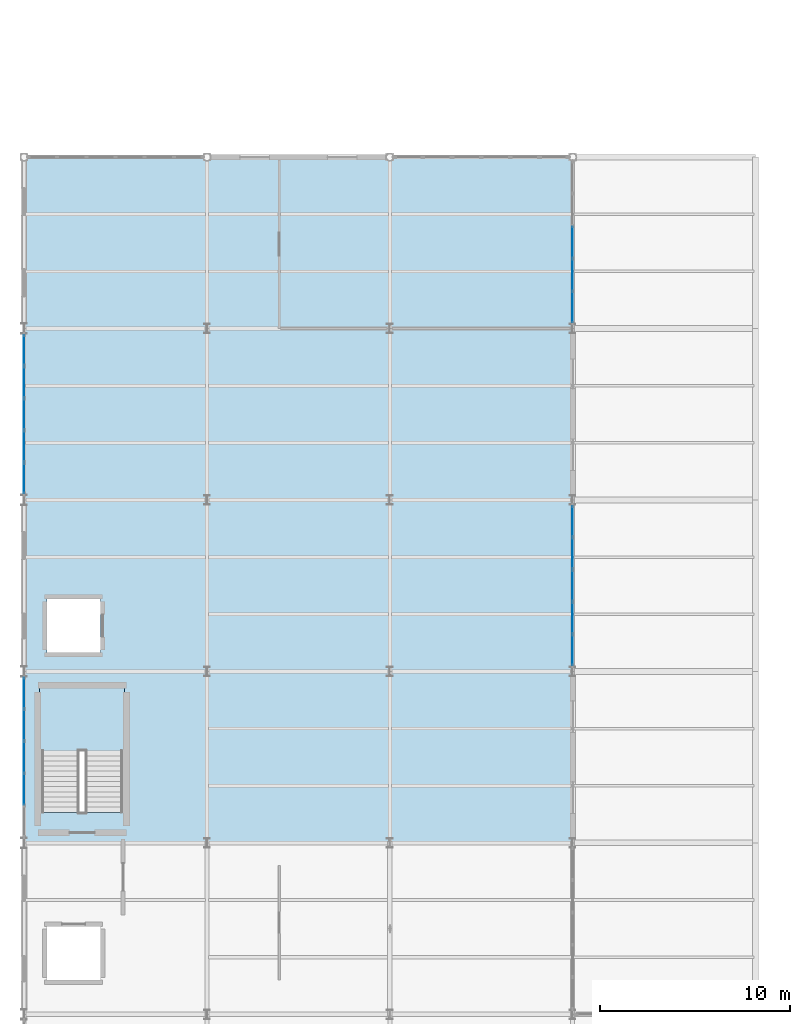
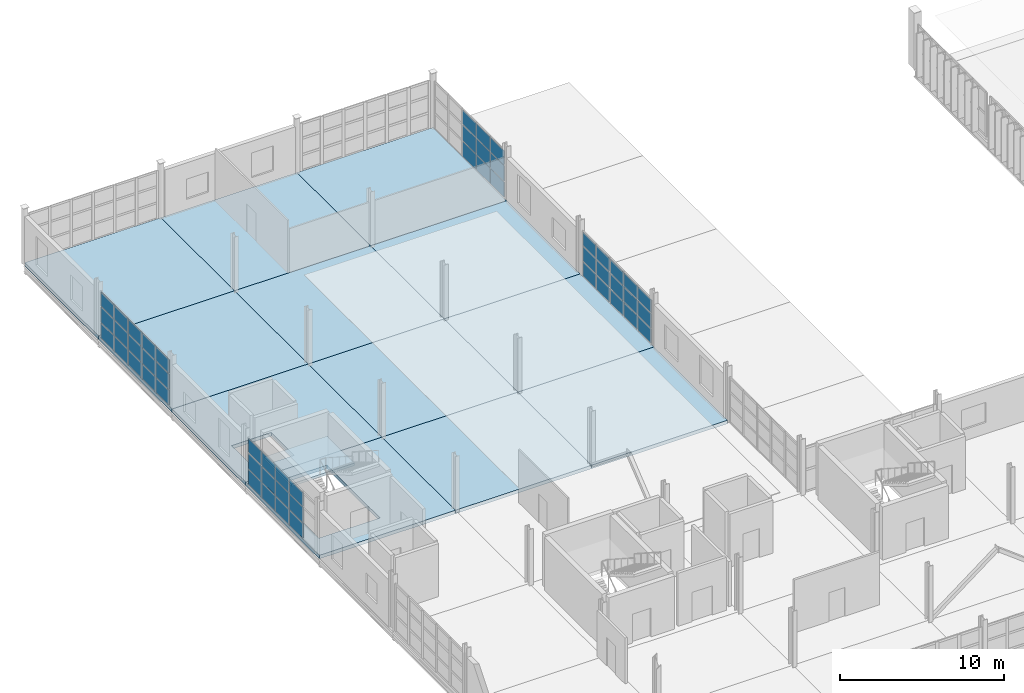
# One storey, part 51 of 82: 51 plates, 13 slabs, 5 elements without a shape of their own.
"""IFC4 building model written with IfcOpenShell, lengths in metres."""

from ifc_helpers import new_model, si_unit, direction, frame, origin, origin_2d, place, context, subcontext, project, spatial, polyline, rectangle, outline, extrude, material, layer, layer_set, type_object, element, aggregate, save


model = new_model("IFC4")

# Units and contexts
model_context = context("Model", 3, precision=1e-05, world=origin(), true_north=direction((0.0, 1.0)))
body_context = subcontext(model_context, "Body", "Model", "MODEL_VIEW")
ifc_project = project(units=[si_unit("LENGTHUNIT", "METRE"), si_unit("AREAUNIT", "SQUARE_METRE"), si_unit("VOLUMEUNIT", "CUBIC_METRE"), si_unit("PLANEANGLEUNIT", "RADIAN"), si_unit("MASSUNIT", "GRAM", prefix="KILO")], contexts=[model_context])

# Site, building, storey
site_placement = place(None, origin())
site = spatial("IfcSite", under=ifc_project, at=site_placement, CompositionType="ELEMENT")
building_placement = place(site_placement, origin())
building = spatial("IfcBuilding", under=site, at=building_placement, Name="Zarnetskaya Central Station", CompositionType="ELEMENT")
storey_placement = place(building_placement, frame((0.0, 0.0, 10.199951171875)))
storey = spatial("IfcBuildingStorey", under=building, at=storey_placement, Name="L02", CompositionType="ELEMENT", Elevation=10.199951171875)

# Curtain wall, plates
ifc_material_1 = material(Name="Low-E insulated glass", Category="glass")
ifc_layer_1 = layer(ifc_material_1, 0.172119140625, Name="Low-E insulated glass", Category="glass")
ifc_layer_set_1 = layer_set([ifc_layer_1], Name="Low-E insulated glass")
curtain_wall_type_1 = type_object("IfcCurtainWallType", Name="CW-SYS-04", PredefinedType="USERDEFINED", material=ifc_layer_set_1)
curtain_wall_1_placement = place(storey_placement, origin())
curtain_wall_1 = element("IfcCurtainWall", 1, at=curtain_wall_1_placement, inside=storey, type_object=curtain_wall_type_1, Name="Curtain wall CW-L02-021", ObjectType="CURTAIN WALL", PredefinedType="USERDEFINED")
ifc_layer_2 = layer(ifc_material_1, 0.031982421875, Name="Low-E insulated glass", Category="glass")
ifc_layer_set_2 = layer_set([ifc_layer_2], Name="Low-E insulated glass")
plate_type_1 = type_object("IfcPlateType", Name="CW-PAN-32", PredefinedType="CURTAIN_PANEL", material=ifc_layer_set_2)
plate_1_placement = place(storey_placement, frame((28.800048828125, 62.723388671875, 0.0703125), z_axis=(0.0, 0.0, 1.0), x_axis=(0.0, -1.0, 0.0)))
plate_1 = element("IfcPlate", 2, at=plate_1_placement, type_object=plate_type_1, Name="CW-15 panel 3.1", PredefinedType="CURTAIN_PANEL", context=body_context, shape_type="SweptSolid", body=[
    extrude(rectangle(XDim=1.639404296875, YDim=0.031982421875, at=origin_2d()), origin(), (0.0, 0.0, 1.0), 1.118896484375),
])
plate_2_placement = place(storey_placement, frame((28.800048828125, 62.723388671875, 1.2587890625), z_axis=(0.0, 0.0, 1.0), x_axis=(0.0, -1.0, 0.0)))
plate_2 = element("IfcPlate", 3, at=plate_2_placement, type_object=plate_type_1, Name="CW-15 panel 3.2", PredefinedType="CURTAIN_PANEL", context=body_context, shape_type="SweptSolid", body=[
    extrude(rectangle(XDim=1.639404296875, YDim=0.031982421875, at=origin_2d()), origin(), (0.0, 0.0, 1.0), 1.154052734375),
])
plate_3_placement = place(storey_placement, frame((28.800048828125, 62.723388671875, 2.48291015625), z_axis=(0.0, 0.0, 1.0), x_axis=(0.0, -1.0, 0.0)))
plate_3 = element("IfcPlate", 4, at=plate_3_placement, type_object=plate_type_1, Name="CW-15 panel 3.3", PredefinedType="CURTAIN_PANEL", context=body_context, shape_type="SweptSolid", body=[
    extrude(rectangle(XDim=1.639404296875, YDim=0.031982421875, at=origin_2d()), origin(), (0.0, 0.0, 1.0), 1.047119140625),
])
plate_4_placement = place(storey_placement, frame((28.800048828125, 61.01416015625, 0.0703125), z_axis=(0.0, 0.0, 1.0), x_axis=(0.0, -1.0, 0.0)))
plate_4 = element("IfcPlate", 5, at=plate_4_placement, type_object=plate_type_1, Name="CW-15 panel 4.1", PredefinedType="CURTAIN_PANEL", context=body_context, shape_type="SweptSolid", body=[
    extrude(rectangle(XDim=1.639404296875, YDim=0.031982421875, at=origin_2d()), origin(), (0.0, 0.0, 1.0), 1.118896484375),
])
plate_5_placement = place(storey_placement, frame((28.800048828125, 61.01416015625, 1.2587890625), z_axis=(0.0, 0.0, 1.0), x_axis=(0.0, -1.0, 0.0)))
plate_5 = element("IfcPlate", 6, at=plate_5_placement, type_object=plate_type_1, Name="CW-15 panel 4.2", PredefinedType="CURTAIN_PANEL", context=body_context, shape_type="SweptSolid", body=[
    extrude(rectangle(XDim=1.639404296875, YDim=0.031982421875, at=origin_2d()), origin(), (0.0, 0.0, 1.0), 1.154052734375),
])
plate_6_placement = place(storey_placement, frame((28.800048828125, 61.01416015625, 2.48291015625), z_axis=(0.0, 0.0, 1.0), x_axis=(0.0, -1.0, 0.0)))
plate_6 = element("IfcPlate", 7, at=plate_6_placement, type_object=plate_type_1, Name="CW-15 panel 4.3", PredefinedType="CURTAIN_PANEL", context=body_context, shape_type="SweptSolid", body=[
    extrude(rectangle(XDim=1.639404296875, YDim=0.031982421875, at=origin_2d()), origin(), (0.0, 0.0, 1.0), 1.047119140625),
])
plate_7_placement = place(storey_placement, frame((28.800048828125, 59.322265625, 0.0703125), z_axis=(0.0, 0.0, 1.0), x_axis=(0.0, -1.0, 0.0)))
plate_7 = element("IfcPlate", 8, at=plate_7_placement, type_object=plate_type_1, Name="CW-15 panel 5.1", PredefinedType="CURTAIN_PANEL", context=body_context, shape_type="SweptSolid", body=[
    extrude(rectangle(XDim=1.604248046875, YDim=0.031982421875, at=origin_2d()), origin(), (0.0, 0.0, 1.0), 1.118896484375),
])
plate_8_placement = place(storey_placement, frame((28.800048828125, 59.322265625, 1.2587890625), z_axis=(0.0, 0.0, 1.0), x_axis=(0.0, -1.0, 0.0)))
plate_8 = element("IfcPlate", 9, at=plate_8_placement, type_object=plate_type_1, Name="CW-15 panel 5.2", PredefinedType="CURTAIN_PANEL", context=body_context, shape_type="SweptSolid", body=[
    extrude(rectangle(XDim=1.604248046875, YDim=0.031982421875, at=origin_2d()), origin(), (0.0, 0.0, 1.0), 1.154052734375),
])
plate_9_placement = place(storey_placement, frame((28.800048828125, 59.322265625, 2.48291015625), z_axis=(0.0, 0.0, 1.0), x_axis=(0.0, -1.0, 0.0)))
plate_9 = element("IfcPlate", 10, at=plate_9_placement, type_object=plate_type_1, Name="CW-15 panel 5.3", PredefinedType="CURTAIN_PANEL", context=body_context, shape_type="SweptSolid", body=[
    extrude(rectangle(XDim=1.604248046875, YDim=0.031982421875, at=origin_2d()), origin(), (0.0, 0.0, 1.0), 1.047119140625),
])
aggregate(curtain_wall_1, [plate_1, plate_2, plate_3, plate_4, plate_5, plate_6, plate_7, plate_8, plate_9])

ifc_layer_3 = layer(ifc_material_1, 0.16796875, Name="Low-E insulated glass", Category="glass")
ifc_layer_set_3 = layer_set([ifc_layer_3], Name="Low-E insulated glass")
curtain_wall_type_2 = type_object("IfcCurtainWallType", Name="CW-SYS-08", PredefinedType="USERDEFINED", material=ifc_layer_set_3)
curtain_wall_2_placement = place(storey_placement, origin())
curtain_wall_2 = element("IfcCurtainWall", 11, at=curtain_wall_2_placement, inside=storey, type_object=curtain_wall_type_2, Name="Curtain wall CW-L02-017", ObjectType="CURTAIN WALL", PredefinedType="USERDEFINED")
ifc_layer_4 = layer(ifc_material_1, 0.035888671875, Name="Low-E insulated glass", Category="glass")
ifc_layer_set_4 = layer_set([ifc_layer_4], Name="Low-E insulated glass")
plate_type_2 = type_object("IfcPlateType", Name="CW-PAN-36", PredefinedType="CURTAIN_PANEL", material=ifc_layer_set_4)
plate_10_placement = place(storey_placement, frame((0.0, 34.010009765625, 0.070068359375), z_axis=(0.0, 0.0, 1.0), x_axis=(0.0, 1.0, 0.0)))
plate_10 = element("IfcPlate", 12, at=plate_10_placement, type_object=plate_type_2, Name="CW-16 panel 2.1", PredefinedType="CURTAIN_PANEL", context=body_context, shape_type="SweptSolid", body=[
    extrude(rectangle(XDim=1.6201171875, YDim=0.035888671875, at=origin_2d()), origin(), (0.0, 0.0, 1.0), 1.10205078125),
])
plate_11_placement = place(storey_placement, frame((0.0, 34.010009765625, 1.2421875), z_axis=(0.0, 0.0, 1.0), x_axis=(0.0, 1.0, 0.0)))
plate_11 = element("IfcPlate", 13, at=plate_11_placement, type_object=plate_type_2, Name="CW-16 panel 2.2", PredefinedType="CURTAIN_PANEL", context=body_context, shape_type="SweptSolid", body=[
    extrude(rectangle(XDim=1.6201171875, YDim=0.035888671875, at=origin_2d()), origin(), (0.0, 0.0, 1.0), 1.136962890625),
])
plate_12_placement = place(storey_placement, frame((0.0, 34.010009765625, 2.44921875), z_axis=(0.0, 0.0, 1.0), x_axis=(0.0, 1.0, 0.0)))
plate_12 = element("IfcPlate", 14, at=plate_12_placement, type_object=plate_type_2, Name="CW-16 panel 2.3", PredefinedType="CURTAIN_PANEL", context=body_context, shape_type="SweptSolid", body=[
    extrude(rectangle(XDim=1.6201171875, YDim=0.035888671875, at=origin_2d()), origin(), (0.0, 0.0, 1.0), 1.031005859375),
])
plate_13_placement = place(storey_placement, frame((0.0, 35.699951171875, 0.070068359375), z_axis=(0.0, 0.0, 1.0), x_axis=(0.0, 1.0, 0.0)))
plate_13 = element("IfcPlate", 15, at=plate_13_placement, type_object=plate_type_2, Name="CW-16 panel 3.1", PredefinedType="CURTAIN_PANEL", context=body_context, shape_type="SweptSolid", body=[
    extrude(rectangle(XDim=1.6201171875, YDim=0.035888671875, at=origin_2d()), origin(), (0.0, 0.0, 1.0), 1.10205078125),
])
plate_14_placement = place(storey_placement, frame((0.0, 35.699951171875, 1.2421875), z_axis=(0.0, 0.0, 1.0), x_axis=(0.0, 1.0, 0.0)))
plate_14 = element("IfcPlate", 16, at=plate_14_placement, type_object=plate_type_2, Name="CW-16 panel 3.2", PredefinedType="CURTAIN_PANEL", context=body_context, shape_type="SweptSolid", body=[
    extrude(rectangle(XDim=1.6201171875, YDim=0.035888671875, at=origin_2d()), origin(), (0.0, 0.0, 1.0), 1.136962890625),
])
plate_15_placement = place(storey_placement, frame((0.0, 35.699951171875, 2.44921875), z_axis=(0.0, 0.0, 1.0), x_axis=(0.0, 1.0, 0.0)))
plate_15 = element("IfcPlate", 17, at=plate_15_placement, type_object=plate_type_2, Name="CW-16 panel 3.3", PredefinedType="CURTAIN_PANEL", context=body_context, shape_type="SweptSolid", body=[
    extrude(rectangle(XDim=1.6201171875, YDim=0.035888671875, at=origin_2d()), origin(), (0.0, 0.0, 1.0), 1.031005859375),
])
plate_16_placement = place(storey_placement, frame((0.0, 37.389892578125, 0.070068359375), z_axis=(0.0, 0.0, 1.0), x_axis=(0.0, 1.0, 0.0)))
plate_16 = element("IfcPlate", 18, at=plate_16_placement, type_object=plate_type_2, Name="CW-16 panel 4.1", PredefinedType="CURTAIN_PANEL", context=body_context, shape_type="SweptSolid", body=[
    extrude(rectangle(XDim=1.6201171875, YDim=0.035888671875, at=origin_2d()), origin(), (0.0, 0.0, 1.0), 1.10205078125),
])
plate_17_placement = place(storey_placement, frame((0.0, 37.389892578125, 1.2421875), z_axis=(0.0, 0.0, 1.0), x_axis=(0.0, 1.0, 0.0)))
plate_17 = element("IfcPlate", 19, at=plate_17_placement, type_object=plate_type_2, Name="CW-16 panel 4.2", PredefinedType="CURTAIN_PANEL", context=body_context, shape_type="SweptSolid", body=[
    extrude(rectangle(XDim=1.6201171875, YDim=0.035888671875, at=origin_2d()), origin(), (0.0, 0.0, 1.0), 1.136962890625),
])
plate_18_placement = place(storey_placement, frame((0.0, 37.389892578125, 2.44921875), z_axis=(0.0, 0.0, 1.0), x_axis=(0.0, 1.0, 0.0)))
plate_18 = element("IfcPlate", 20, at=plate_18_placement, type_object=plate_type_2, Name="CW-16 panel 4.3", PredefinedType="CURTAIN_PANEL", context=body_context, shape_type="SweptSolid", body=[
    extrude(rectangle(XDim=1.6201171875, YDim=0.035888671875, at=origin_2d()), origin(), (0.0, 0.0, 1.0), 1.031005859375),
])
plate_19_placement = place(storey_placement, frame((0.0, 39.0625, 0.070068359375), z_axis=(0.0, 0.0, 1.0), x_axis=(0.0, 1.0, 0.0)))
plate_19 = element("IfcPlate", 21, at=plate_19_placement, type_object=plate_type_2, Name="CW-16 panel 5.1", PredefinedType="CURTAIN_PANEL", context=body_context, shape_type="SweptSolid", body=[
    extrude(rectangle(XDim=1.5849609375, YDim=0.035888671875, at=origin_2d()), origin(), (0.0, 0.0, 1.0), 1.10205078125),
])
plate_20_placement = place(storey_placement, frame((0.0, 39.0625, 1.2421875), z_axis=(0.0, 0.0, 1.0), x_axis=(0.0, 1.0, 0.0)))
plate_20 = element("IfcPlate", 22, at=plate_20_placement, type_object=plate_type_2, Name="CW-16 panel 5.2", PredefinedType="CURTAIN_PANEL", context=body_context, shape_type="SweptSolid", body=[
    extrude(rectangle(XDim=1.5849609375, YDim=0.035888671875, at=origin_2d()), origin(), (0.0, 0.0, 1.0), 1.136962890625),
])
plate_21_placement = place(storey_placement, frame((0.0, 39.0625, 2.44921875), z_axis=(0.0, 0.0, 1.0), x_axis=(0.0, 1.0, 0.0)))
plate_21 = element("IfcPlate", 23, at=plate_21_placement, type_object=plate_type_2, Name="CW-16 panel 5.3", PredefinedType="CURTAIN_PANEL", context=body_context, shape_type="SweptSolid", body=[
    extrude(rectangle(XDim=1.5849609375, YDim=0.035888671875, at=origin_2d()), origin(), (0.0, 0.0, 1.0), 1.031005859375),
])
aggregate(curtain_wall_2, [plate_10, plate_11, plate_12, plate_13, plate_14, plate_15, plate_16, plate_17, plate_18, plate_19, plate_20, plate_21])

ifc_layer_5 = layer(ifc_material_1, 0.159912109375, Name="Low-E insulated glass", Category="glass")
ifc_layer_set_5 = layer_set([ifc_layer_5], Name="Low-E insulated glass")
curtain_wall_type_3 = type_object("IfcCurtainWallType", Name="CW-SYS-06", PredefinedType="USERDEFINED", material=ifc_layer_set_5)
curtain_wall_3_placement = place(storey_placement, origin())
curtain_wall_3 = element("IfcCurtainWall", 24, at=curtain_wall_3_placement, inside=storey, type_object=curtain_wall_type_3, Name="Curtain wall CW-L02-022", ObjectType="CURTAIN WALL", PredefinedType="USERDEFINED")
plate_22_placement = place(storey_placement, frame((28.800048828125, 48.080078125, 0.080078125), z_axis=(0.0, 0.0, 1.0), x_axis=(0.0, -1.0, 0.0)))
plate_22 = element("IfcPlate", 25, at=plate_22_placement, type_object=plate_type_2, Name="CW-02 panel 1.1", PredefinedType="CURTAIN_PANEL", context=body_context, shape_type="SweptSolid", body=[
    extrude(rectangle(XDim=1.580078125, YDim=0.035888671875, at=origin_2d()), origin(), (0.0, 0.0, 1.0), 1.035888671875),
])
plate_23_placement = place(storey_placement, frame((28.800048828125, 48.080078125, 1.1962890625), z_axis=(0.0, 0.0, 1.0), x_axis=(0.0, -1.0, 0.0)))
plate_23 = element("IfcPlate", 26, at=plate_23_placement, type_object=plate_type_2, Name="CW-02 panel 1.2", PredefinedType="CURTAIN_PANEL", context=body_context, shape_type="SweptSolid", body=[
    extrude(rectangle(XDim=1.580078125, YDim=0.035888671875, at=origin_2d()), origin(), (0.0, 0.0, 1.0), 1.075927734375),
])
plate_24_placement = place(storey_placement, frame((28.800048828125, 48.080078125, 2.35205078125), z_axis=(0.0, 0.0, 1.0), x_axis=(0.0, -1.0, 0.0)))
plate_24 = element("IfcPlate", 27, at=plate_24_placement, type_object=plate_type_2, Name="CW-02 panel 1.3", PredefinedType="CURTAIN_PANEL", context=body_context, shape_type="SweptSolid", body=[
    extrude(rectangle(XDim=1.580078125, YDim=0.035888671875, at=origin_2d()), origin(), (0.0, 0.0, 1.0), 0.968017578125),
])
plate_25_placement = place(storey_placement, frame((28.800048828125, 46.39990234375, 0.080078125), z_axis=(0.0, 0.0, 1.0), x_axis=(0.0, -1.0, 0.0)))
plate_25 = element("IfcPlate", 28, at=plate_25_placement, type_object=plate_type_2, Name="CW-02 panel 2.1", PredefinedType="CURTAIN_PANEL", context=body_context, shape_type="SweptSolid", body=[
    extrude(rectangle(XDim=1.6201171875, YDim=0.035888671875, at=origin_2d()), origin(), (0.0, 0.0, 1.0), 1.035888671875),
])
plate_26_placement = place(storey_placement, frame((28.800048828125, 46.39990234375, 1.1962890625), z_axis=(0.0, 0.0, 1.0), x_axis=(0.0, -1.0, 0.0)))
plate_26 = element("IfcPlate", 29, at=plate_26_placement, type_object=plate_type_2, Name="CW-02 panel 2.2", PredefinedType="CURTAIN_PANEL", context=body_context, shape_type="SweptSolid", body=[
    extrude(rectangle(XDim=1.6201171875, YDim=0.035888671875, at=origin_2d()), origin(), (0.0, 0.0, 1.0), 1.075927734375),
])
plate_27_placement = place(storey_placement, frame((28.800048828125, 46.39990234375, 2.35205078125), z_axis=(0.0, 0.0, 1.0), x_axis=(0.0, -1.0, 0.0)))
plate_27 = element("IfcPlate", 30, at=plate_27_placement, type_object=plate_type_2, Name="CW-02 panel 2.3", PredefinedType="CURTAIN_PANEL", context=body_context, shape_type="SweptSolid", body=[
    extrude(rectangle(XDim=1.6201171875, YDim=0.035888671875, at=origin_2d()), origin(), (0.0, 0.0, 1.0), 0.968017578125),
])
plate_28_placement = place(storey_placement, frame((28.800048828125, 44.699951171875, 0.080078125), z_axis=(0.0, 0.0, 1.0), x_axis=(0.0, -1.0, 0.0)))
plate_28 = element("IfcPlate", 31, at=plate_28_placement, type_object=plate_type_2, Name="CW-02 panel 3.1", PredefinedType="CURTAIN_PANEL", context=body_context, shape_type="SweptSolid", body=[
    extrude(rectangle(XDim=1.6201171875, YDim=0.035888671875, at=origin_2d()), origin(), (0.0, 0.0, 1.0), 1.035888671875),
])
plate_29_placement = place(storey_placement, frame((28.800048828125, 44.699951171875, 1.1962890625), z_axis=(0.0, 0.0, 1.0), x_axis=(0.0, -1.0, 0.0)))
plate_29 = element("IfcPlate", 32, at=plate_29_placement, type_object=plate_type_2, Name="CW-02 panel 3.2", PredefinedType="CURTAIN_PANEL", context=body_context, shape_type="SweptSolid", body=[
    extrude(rectangle(XDim=1.6201171875, YDim=0.035888671875, at=origin_2d()), origin(), (0.0, 0.0, 1.0), 1.075927734375),
])
plate_30_placement = place(storey_placement, frame((28.800048828125, 44.699951171875, 2.35205078125), z_axis=(0.0, 0.0, 1.0), x_axis=(0.0, -1.0, 0.0)))
plate_30 = element("IfcPlate", 33, at=plate_30_placement, type_object=plate_type_2, Name="CW-02 panel 3.3", PredefinedType="CURTAIN_PANEL", context=body_context, shape_type="SweptSolid", body=[
    extrude(rectangle(XDim=1.6201171875, YDim=0.035888671875, at=origin_2d()), origin(), (0.0, 0.0, 1.0), 0.968017578125),
])
plate_31_placement = place(storey_placement, frame((28.800048828125, 43.0, 0.080078125), z_axis=(0.0, 0.0, 1.0), x_axis=(0.0, -1.0, 0.0)))
plate_31 = element("IfcPlate", 34, at=plate_31_placement, type_object=plate_type_2, Name="CW-02 panel 4.1", PredefinedType="CURTAIN_PANEL", context=body_context, shape_type="SweptSolid", body=[
    extrude(rectangle(XDim=1.6201171875, YDim=0.035888671875, at=origin_2d()), origin(), (0.0, 0.0, 1.0), 1.035888671875),
])
plate_32_placement = place(storey_placement, frame((28.800048828125, 43.0, 1.1962890625), z_axis=(0.0, 0.0, 1.0), x_axis=(0.0, -1.0, 0.0)))
plate_32 = element("IfcPlate", 35, at=plate_32_placement, type_object=plate_type_2, Name="CW-02 panel 4.2", PredefinedType="CURTAIN_PANEL", context=body_context, shape_type="SweptSolid", body=[
    extrude(rectangle(XDim=1.6201171875, YDim=0.035888671875, at=origin_2d()), origin(), (0.0, 0.0, 1.0), 1.075927734375),
])
plate_33_placement = place(storey_placement, frame((28.800048828125, 43.0, 2.35205078125), z_axis=(0.0, 0.0, 1.0), x_axis=(0.0, -1.0, 0.0)))
plate_33 = element("IfcPlate", 36, at=plate_33_placement, type_object=plate_type_2, Name="CW-02 panel 4.3", PredefinedType="CURTAIN_PANEL", context=body_context, shape_type="SweptSolid", body=[
    extrude(rectangle(XDim=1.6201171875, YDim=0.035888671875, at=origin_2d()), origin(), (0.0, 0.0, 1.0), 0.968017578125),
])
plate_34_placement = place(storey_placement, frame((28.800048828125, 41.320068359375, 0.080078125), z_axis=(0.0, 0.0, 1.0), x_axis=(0.0, -1.0, 0.0)))
plate_34 = element("IfcPlate", 37, at=plate_34_placement, type_object=plate_type_2, Name="CW-02 panel 5.1", PredefinedType="CURTAIN_PANEL", context=body_context, shape_type="SweptSolid", body=[
    extrude(rectangle(XDim=1.580078125, YDim=0.035888671875, at=origin_2d()), origin(), (0.0, 0.0, 1.0), 1.035888671875),
])
plate_35_placement = place(storey_placement, frame((28.800048828125, 41.320068359375, 1.1962890625), z_axis=(0.0, 0.0, 1.0), x_axis=(0.0, -1.0, 0.0)))
plate_35 = element("IfcPlate", 38, at=plate_35_placement, type_object=plate_type_2, Name="CW-02 panel 5.2", PredefinedType="CURTAIN_PANEL", context=body_context, shape_type="SweptSolid", body=[
    extrude(rectangle(XDim=1.580078125, YDim=0.035888671875, at=origin_2d()), origin(), (0.0, 0.0, 1.0), 1.075927734375),
])
plate_36_placement = place(storey_placement, frame((28.800048828125, 41.320068359375, 2.35205078125), z_axis=(0.0, 0.0, 1.0), x_axis=(0.0, -1.0, 0.0)))
plate_36 = element("IfcPlate", 39, at=plate_36_placement, type_object=plate_type_2, Name="CW-02 panel 5.3", PredefinedType="CURTAIN_PANEL", context=body_context, shape_type="SweptSolid", body=[
    extrude(rectangle(XDim=1.580078125, YDim=0.035888671875, at=origin_2d()), origin(), (0.0, 0.0, 1.0), 0.968017578125),
])
aggregate(curtain_wall_3, [plate_22, plate_23, plate_24, plate_25, plate_26, plate_27, plate_28, plate_29, plate_30, plate_31, plate_32, plate_33, plate_34, plate_35, plate_36])

ifc_layer_6 = layer(ifc_material_1, 0.176025390625, Name="Low-E insulated glass", Category="glass")
ifc_layer_set_6 = layer_set([ifc_layer_6], Name="Low-E insulated glass")
curtain_wall_type_4 = type_object("IfcCurtainWallType", Name="CW-SYS-10", PredefinedType="USERDEFINED", material=ifc_layer_set_6)
curtain_wall_4_placement = place(storey_placement, origin())
curtain_wall_4 = element("IfcCurtainWall", 40, at=curtain_wall_4_placement, inside=storey, type_object=curtain_wall_type_4, Name="Curtain wall CW-L02-018", ObjectType="CURTAIN WALL", PredefinedType="USERDEFINED")
ifc_layer_7 = layer(ifc_material_1, 0.0400390625, Name="Low-E insulated glass", Category="glass")
ifc_layer_set_7 = layer_set([ifc_layer_7], Name="Low-E insulated glass")
plate_type_3 = type_object("IfcPlateType", Name="CW-PAN-40", PredefinedType="CURTAIN_PANEL", material=ifc_layer_set_7)
plate_37_placement = place(storey_placement, frame((0.0, 50.340087890625, 0.080078125), z_axis=(0.0, 0.0, 1.0), x_axis=(0.0, 1.0, 0.0)))
plate_37 = element("IfcPlate", 41, at=plate_37_placement, type_object=plate_type_3, Name="CW-13 panel 1.1", PredefinedType="CURTAIN_PANEL", context=body_context, shape_type="SweptSolid", body=[
    extrude(rectangle(XDim=1.570068359375, YDim=0.0400390625, at=origin_2d()), origin(), (0.0, 0.0, 1.0), 1.0869140625),
])
plate_38_placement = place(storey_placement, frame((0.0, 50.340087890625, 1.2470703125), z_axis=(0.0, 0.0, 1.0), x_axis=(0.0, 1.0, 0.0)))
plate_38 = element("IfcPlate", 42, at=plate_38_placement, type_object=plate_type_3, Name="CW-13 panel 1.2", PredefinedType="CURTAIN_PANEL", context=body_context, shape_type="SweptSolid", body=[
    extrude(rectangle(XDim=1.570068359375, YDim=0.0400390625, at=origin_2d()), origin(), (0.0, 0.0, 1.0), 1.126953125),
])
plate_39_placement = place(storey_placement, frame((0.0, 50.340087890625, 2.4541015625), z_axis=(0.0, 0.0, 1.0), x_axis=(0.0, 1.0, 0.0)))
plate_39 = element("IfcPlate", 43, at=plate_39_placement, type_object=plate_type_3, Name="CW-13 panel 1.3", PredefinedType="CURTAIN_PANEL", context=body_context, shape_type="SweptSolid", body=[
    extrude(rectangle(XDim=1.570068359375, YDim=0.0400390625, at=origin_2d()), origin(), (0.0, 0.0, 1.0), 1.01611328125),
])
plate_40_placement = place(storey_placement, frame((0.0, 52.010009765625, 0.080078125), z_axis=(0.0, 0.0, 1.0), x_axis=(0.0, 1.0, 0.0)))
plate_40 = element("IfcPlate", 44, at=plate_40_placement, type_object=plate_type_3, Name="CW-13 panel 2.1", PredefinedType="CURTAIN_PANEL", context=body_context, shape_type="SweptSolid", body=[
    extrude(rectangle(XDim=1.610107421875, YDim=0.0400390625, at=origin_2d()), origin(), (0.0, 0.0, 1.0), 1.0869140625),
])
plate_41_placement = place(storey_placement, frame((0.0, 52.010009765625, 1.2470703125), z_axis=(0.0, 0.0, 1.0), x_axis=(0.0, 1.0, 0.0)))
plate_41 = element("IfcPlate", 45, at=plate_41_placement, type_object=plate_type_3, Name="CW-13 panel 2.2", PredefinedType="CURTAIN_PANEL", context=body_context, shape_type="SweptSolid", body=[
    extrude(rectangle(XDim=1.610107421875, YDim=0.0400390625, at=origin_2d()), origin(), (0.0, 0.0, 1.0), 1.126953125),
])
plate_42_placement = place(storey_placement, frame((0.0, 52.010009765625, 2.4541015625), z_axis=(0.0, 0.0, 1.0), x_axis=(0.0, 1.0, 0.0)))
plate_42 = element("IfcPlate", 46, at=plate_42_placement, type_object=plate_type_3, Name="CW-13 panel 2.3", PredefinedType="CURTAIN_PANEL", context=body_context, shape_type="SweptSolid", body=[
    extrude(rectangle(XDim=1.610107421875, YDim=0.0400390625, at=origin_2d()), origin(), (0.0, 0.0, 1.0), 1.01611328125),
])
plate_43_placement = place(storey_placement, frame((0.0, 53.699951171875, 0.080078125), z_axis=(0.0, 0.0, 1.0), x_axis=(0.0, 1.0, 0.0)))
plate_43 = element("IfcPlate", 47, at=plate_43_placement, type_object=plate_type_3, Name="CW-13 panel 3.1", PredefinedType="CURTAIN_PANEL", context=body_context, shape_type="SweptSolid", body=[
    extrude(rectangle(XDim=1.610107421875, YDim=0.0400390625, at=origin_2d()), origin(), (0.0, 0.0, 1.0), 1.0869140625),
])
plate_44_placement = place(storey_placement, frame((0.0, 53.699951171875, 1.2470703125), z_axis=(0.0, 0.0, 1.0), x_axis=(0.0, 1.0, 0.0)))
plate_44 = element("IfcPlate", 48, at=plate_44_placement, type_object=plate_type_3, Name="CW-13 panel 3.2", PredefinedType="CURTAIN_PANEL", context=body_context, shape_type="SweptSolid", body=[
    extrude(rectangle(XDim=1.610107421875, YDim=0.0400390625, at=origin_2d()), origin(), (0.0, 0.0, 1.0), 1.126953125),
])
plate_45_placement = place(storey_placement, frame((0.0, 53.699951171875, 2.4541015625), z_axis=(0.0, 0.0, 1.0), x_axis=(0.0, 1.0, 0.0)))
plate_45 = element("IfcPlate", 49, at=plate_45_placement, type_object=plate_type_3, Name="CW-13 panel 3.3", PredefinedType="CURTAIN_PANEL", context=body_context, shape_type="SweptSolid", body=[
    extrude(rectangle(XDim=1.610107421875, YDim=0.0400390625, at=origin_2d()), origin(), (0.0, 0.0, 1.0), 1.01611328125),
])
plate_46_placement = place(storey_placement, frame((0.0, 55.389892578125, 0.080078125), z_axis=(0.0, 0.0, 1.0), x_axis=(0.0, 1.0, 0.0)))
plate_46 = element("IfcPlate", 50, at=plate_46_placement, type_object=plate_type_3, Name="CW-13 panel 4.1", PredefinedType="CURTAIN_PANEL", context=body_context, shape_type="SweptSolid", body=[
    extrude(rectangle(XDim=1.610107421875, YDim=0.0400390625, at=origin_2d()), origin(), (0.0, 0.0, 1.0), 1.0869140625),
])
plate_47_placement = place(storey_placement, frame((0.0, 55.389892578125, 1.2470703125), z_axis=(0.0, 0.0, 1.0), x_axis=(0.0, 1.0, 0.0)))
plate_47 = element("IfcPlate", 51, at=plate_47_placement, type_object=plate_type_3, Name="CW-13 panel 4.2", PredefinedType="CURTAIN_PANEL", context=body_context, shape_type="SweptSolid", body=[
    extrude(rectangle(XDim=1.610107421875, YDim=0.0400390625, at=origin_2d()), origin(), (0.0, 0.0, 1.0), 1.126953125),
])
plate_48_placement = place(storey_placement, frame((0.0, 55.389892578125, 2.4541015625), z_axis=(0.0, 0.0, 1.0), x_axis=(0.0, 1.0, 0.0)))
plate_48 = element("IfcPlate", 52, at=plate_48_placement, type_object=plate_type_3, Name="CW-13 panel 4.3", PredefinedType="CURTAIN_PANEL", context=body_context, shape_type="SweptSolid", body=[
    extrude(rectangle(XDim=1.610107421875, YDim=0.0400390625, at=origin_2d()), origin(), (0.0, 0.0, 1.0), 1.01611328125),
])
plate_49_placement = place(storey_placement, frame((0.0, 57.06005859375, 0.080078125), z_axis=(0.0, 0.0, 1.0), x_axis=(0.0, 1.0, 0.0)))
plate_49 = element("IfcPlate", 53, at=plate_49_placement, type_object=plate_type_3, Name="CW-13 panel 5.1", PredefinedType="CURTAIN_PANEL", context=body_context, shape_type="SweptSolid", body=[
    extrude(rectangle(XDim=1.570068359375, YDim=0.0400390625, at=origin_2d()), origin(), (0.0, 0.0, 1.0), 1.0869140625),
])
plate_50_placement = place(storey_placement, frame((0.0, 57.06005859375, 1.2470703125), z_axis=(0.0, 0.0, 1.0), x_axis=(0.0, 1.0, 0.0)))
plate_50 = element("IfcPlate", 54, at=plate_50_placement, type_object=plate_type_3, Name="CW-13 panel 5.2", PredefinedType="CURTAIN_PANEL", context=body_context, shape_type="SweptSolid", body=[
    extrude(rectangle(XDim=1.570068359375, YDim=0.0400390625, at=origin_2d()), origin(), (0.0, 0.0, 1.0), 1.126953125),
])
plate_51_placement = place(storey_placement, frame((0.0, 57.06005859375, 2.4541015625), z_axis=(0.0, 0.0, 1.0), x_axis=(0.0, 1.0, 0.0)))
plate_51 = element("IfcPlate", 55, at=plate_51_placement, type_object=plate_type_3, Name="CW-13 panel 5.3", PredefinedType="CURTAIN_PANEL", context=body_context, shape_type="SweptSolid", body=[
    extrude(rectangle(XDim=1.570068359375, YDim=0.0400390625, at=origin_2d()), origin(), (0.0, 0.0, 1.0), 1.01611328125),
])
aggregate(curtain_wall_4, [plate_37, plate_38, plate_39, plate_40, plate_41, plate_42, plate_43, plate_44, plate_45, plate_46, plate_47, plate_48, plate_49, plate_50, plate_51])

# Slabs
ifc_material_2 = material(Name="Concrete C30/37", Category="concrete")
ifc_layer_8 = layer(ifc_material_2, 0.260009765625, Name="Concrete C30/37", Category="concrete")
ifc_layer_set_8 = layer_set([ifc_layer_8], Name="Concrete C30/37")
slab_type_1 = type_object("IfcSlabType", Name="SLAB-L02-260", PredefinedType="FLOOR", material=ifc_layer_set_8)
slab_1_placement = place(storey_placement, frame((0.0, 0.0, -0.260009765625)))
element("IfcSlab", 56, at=slab_1_placement, inside=storey, type_object=slab_type_1, Name="L02 slab A-B/5-6", PredefinedType="FLOOR", context=body_context, shape_type="SweptSolid", body=[
    extrude(outline(polyline([(0.0, 31.199951171875), (9.60009765625, 31.199951171875), (9.60009765625, 40.199951171875), (0.0, 40.199951171875), (0.0, 31.199951171875)]), holes=[polyline([(0.89990234375, 32.804931640625), (5.199951171875, 32.804931640625), (5.199951171875, 39.300048828125), (0.89990234375, 39.300048828125), (0.89990234375, 32.804931640625)])]), origin(), (0.0, 0.0, 1.0), 0.260009765625),
])
slab_2_placement = place(storey_placement, frame((0.0, 0.0, -0.260009765625)))
element("IfcSlab", 57, at=slab_2_placement, inside=storey, type_object=slab_type_1, Name="L02 slab A-B/6-7", PredefinedType="FLOOR", context=body_context, shape_type="SweptSolid", body=[
    extrude(outline(polyline([(0.0, 40.199951171875), (9.60009765625, 40.199951171875), (9.60009765625, 49.199951171875), (0.0, 49.199951171875), (0.0, 40.199951171875)]), holes=[polyline([(1.199951171875, 41.199951171875), (4.0, 41.199951171875), (4.0, 44.0), (1.199951171875, 44.0), (1.199951171875, 41.199951171875)])]), origin(), (0.0, 0.0, 1.0), 0.260009765625),
])
slab_3_placement = place(storey_placement, frame((0.0, 0.0, -0.260009765625)))
element("IfcSlab", 58, at=slab_3_placement, inside=storey, type_object=slab_type_1, Name="L02 slab A-B/7-8", PredefinedType="FLOOR", context=body_context, shape_type="SweptSolid", body=[
    extrude(outline(polyline([(0.0, 49.199951171875), (9.60009765625, 49.199951171875), (9.60009765625, 58.199951171875), (0.0, 58.199951171875), (0.0, 49.199951171875)])), origin(), (0.0, 0.0, 1.0), 0.260009765625),
])
slab_4_placement = place(storey_placement, frame((0.0, 0.0, -0.260009765625)))
element("IfcSlab", 59, at=slab_4_placement, inside=storey, type_object=slab_type_1, Name="L02 slab A-B/8-9", PredefinedType="FLOOR", context=body_context, shape_type="SweptSolid", body=[
    extrude(outline(polyline([(0.0, 58.199951171875), (9.60009765625, 58.199951171875), (9.60009765625, 67.199951171875), (0.0, 67.199951171875), (0.0, 58.199951171875)])), origin(), (0.0, 0.0, 1.0), 0.260009765625),
])
slab_5_placement = place(storey_placement, frame((0.0, 0.0, -0.260009765625)))
element("IfcSlab", 60, at=slab_5_placement, inside=storey, type_object=slab_type_1, Name="L02 slab B-C/5-6", PredefinedType="FLOOR", context=body_context, shape_type="SweptSolid", body=[
    extrude(outline(polyline([(9.60009765625, 31.199951171875), (19.199951171875, 31.199951171875), (19.199951171875, 40.199951171875), (9.60009765625, 40.199951171875), (9.60009765625, 31.199951171875)])), origin(), (0.0, 0.0, 1.0), 0.260009765625),
])
slab_6_placement = place(storey_placement, frame((0.0, 0.0, -0.260009765625)))
element("IfcSlab", 61, at=slab_6_placement, inside=storey, type_object=slab_type_1, Name="L02 slab B-C/6-7", PredefinedType="FLOOR", context=body_context, shape_type="SweptSolid", body=[
    extrude(outline(polyline([(9.60009765625, 40.199951171875), (19.199951171875, 40.199951171875), (19.199951171875, 49.199951171875), (9.60009765625, 49.199951171875), (9.60009765625, 40.199951171875)])), origin(), (0.0, 0.0, 1.0), 0.260009765625),
])
slab_7_placement = place(storey_placement, frame((0.0, 0.0, -0.260009765625)))
element("IfcSlab", 62, at=slab_7_placement, inside=storey, type_object=slab_type_1, Name="L02 slab B-C/7-8", PredefinedType="FLOOR", context=body_context, shape_type="SweptSolid", body=[
    extrude(outline(polyline([(9.60009765625, 49.199951171875), (19.199951171875, 49.199951171875), (19.199951171875, 58.199951171875), (9.60009765625, 58.199951171875), (9.60009765625, 49.199951171875)])), origin(), (0.0, 0.0, 1.0), 0.260009765625),
])
slab_8_placement = place(storey_placement, frame((0.0, 0.0, -0.260009765625)))
element("IfcSlab", 63, at=slab_8_placement, inside=storey, type_object=slab_type_1, Name="L02 slab B-C/8-9", PredefinedType="FLOOR", context=body_context, shape_type="SweptSolid", body=[
    extrude(outline(polyline([(9.60009765625, 58.199951171875), (19.199951171875, 58.199951171875), (19.199951171875, 67.199951171875), (9.60009765625, 67.199951171875), (9.60009765625, 58.199951171875)])), origin(), (0.0, 0.0, 1.0), 0.260009765625),
])
slab_9_placement = place(storey_placement, frame((0.0, 0.0, -0.260009765625)))
element("IfcSlab", 64, at=slab_9_placement, inside=storey, type_object=slab_type_1, Name="L02 slab C-D/5-6", PredefinedType="FLOOR", context=body_context, shape_type="SweptSolid", body=[
    extrude(outline(polyline([(19.199951171875, 31.199951171875), (28.800048828125, 31.199951171875), (28.800048828125, 40.199951171875), (19.199951171875, 40.199951171875), (19.199951171875, 31.199951171875)])), origin(), (0.0, 0.0, 1.0), 0.260009765625),
])
slab_10_placement = place(storey_placement, frame((0.0, 0.0, -0.260009765625)))
element("IfcSlab", 65, at=slab_10_placement, inside=storey, type_object=slab_type_1, Name="L02 slab C-D/6-7", PredefinedType="FLOOR", context=body_context, shape_type="SweptSolid", body=[
    extrude(outline(polyline([(19.199951171875, 40.199951171875), (28.800048828125, 40.199951171875), (28.800048828125, 49.199951171875), (19.199951171875, 49.199951171875), (19.199951171875, 40.199951171875)])), origin(), (0.0, 0.0, 1.0), 0.260009765625),
])
slab_11_placement = place(storey_placement, frame((0.0, 0.0, -0.260009765625)))
element("IfcSlab", 66, at=slab_11_placement, inside=storey, type_object=slab_type_1, Name="L02 slab C-D/7-8", PredefinedType="FLOOR", context=body_context, shape_type="SweptSolid", body=[
    extrude(outline(polyline([(19.199951171875, 49.199951171875), (28.800048828125, 49.199951171875), (28.800048828125, 58.199951171875), (19.199951171875, 58.199951171875), (19.199951171875, 49.199951171875)])), origin(), (0.0, 0.0, 1.0), 0.260009765625),
])
slab_12_placement = place(storey_placement, frame((0.0, 0.0, -0.260009765625)))
element("IfcSlab", 67, at=slab_12_placement, inside=storey, type_object=slab_type_1, Name="L02 slab C-D/8-9", PredefinedType="FLOOR", context=body_context, shape_type="SweptSolid", body=[
    extrude(outline(polyline([(19.199951171875, 58.199951171875), (28.800048828125, 58.199951171875), (28.800048828125, 67.199951171875), (19.199951171875, 67.199951171875), (19.199951171875, 58.199951171875)])), origin(), (0.0, 0.0, 1.0), 0.260009765625),
])

# Stair, slab
stair_type = type_object("IfcStairType", Name="STAIR-ASSY-02", PredefinedType="HALF_TURN_STAIR", material=ifc_material_2)
stair_placement = place(storey_placement, origin())
stair = element("IfcStair", 68, at=stair_placement, inside=storey, type_object=stair_type, Name="Exit Stair ST-C2 L02", PredefinedType="HALF_TURN_STAIR")
ifc_layer_9 = layer(ifc_material_2, 0.18505859375, Name="Concrete C30/37", Category="concrete")
ifc_layer_set_9 = layer_set([ifc_layer_9], Name="Concrete C30/37")
slab_type_2 = type_object("IfcSlabType", Name="SLAB-STAIR-LND", PredefinedType="LANDING", material=ifc_layer_set_9)
slab_13_placement = place(storey_placement, frame((0.0, 0.0, 1.9150390625)))
slab_13 = element("IfcSlab", 69, at=slab_13_placement, type_object=slab_type_2, Name="ST-07 landing 1", PredefinedType="LANDING", context=body_context, shape_type="SweptSolid", body=[
    extrude(outline(polyline([(0.820068359375, 36.034912109375), (5.280029296875, 36.034912109375), (5.280029296875, 39.3798828125), (0.820068359375, 39.3798828125), (0.820068359375, 36.034912109375)])), origin(), (0.0, 0.0, 1.0), 0.18505859375),
])
aggregate(stair, [slab_13])

save(model, "model.ifc")
